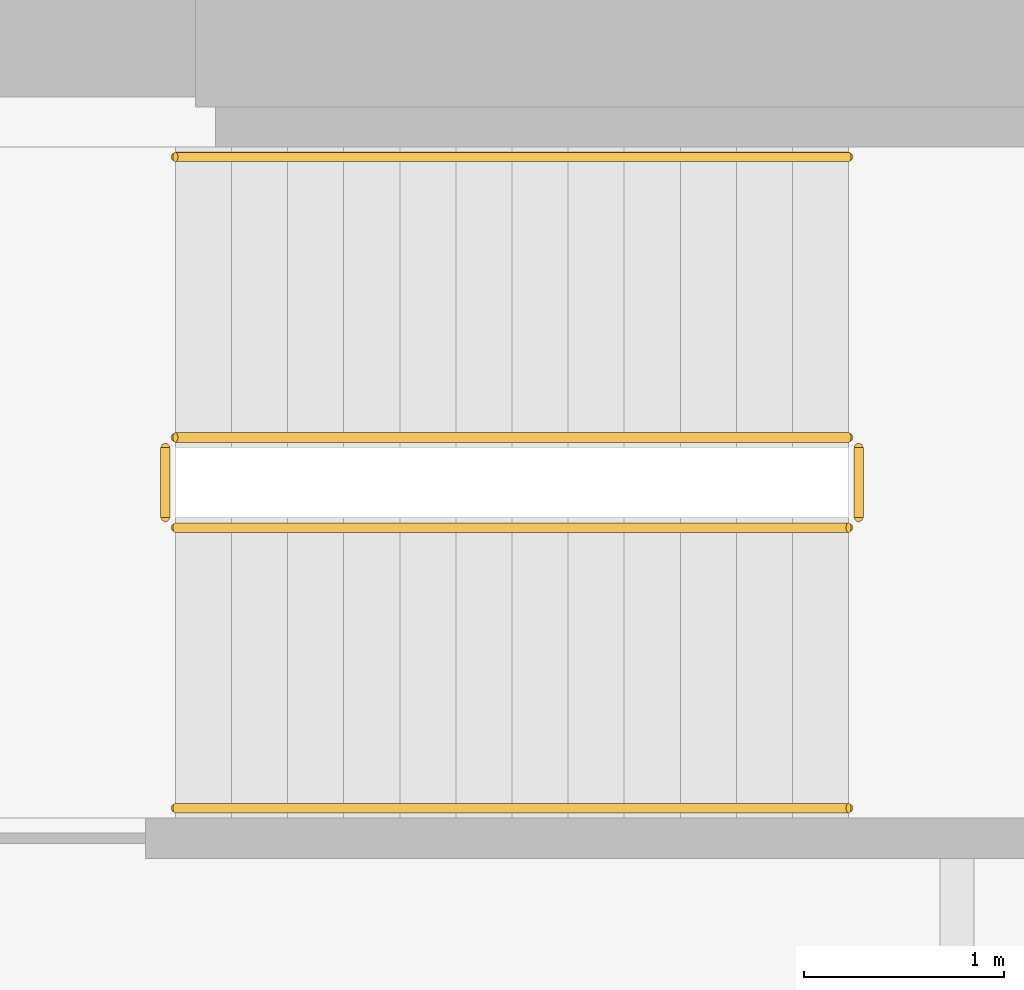
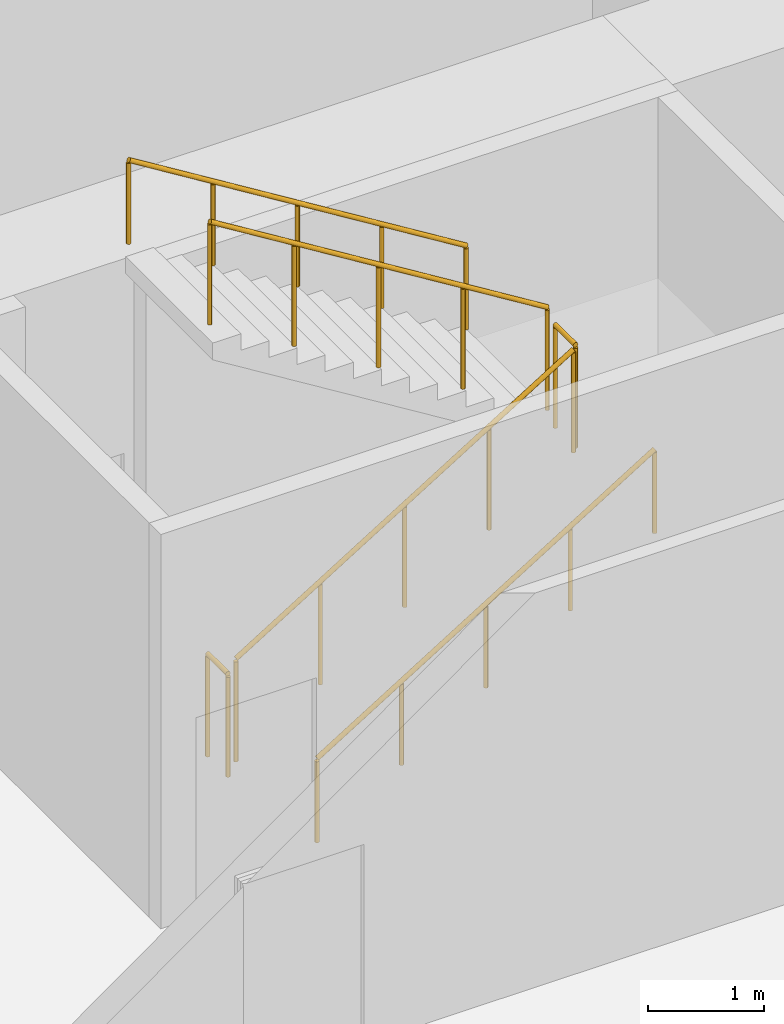
# One storey, part 9 of 11: 6 railings.
"""IFC4 building model written with IfcOpenShell, lengths in metres."""

from ifc_helpers import new_model, si_unit, direction, frame, origin, origin_2d, place, context, subcontext, project, spatial, circle, extrude, source, transform, mapped, material, type_object, element, save


model = new_model("IFC4")

# Units and contexts
model_context = context("Model", 3, precision=1e-05, world=origin(), true_north=direction((0.0, 1.0)))
body_context = subcontext(model_context, "Body", "Model", "MODEL_VIEW")
ifc_project = project(units=[si_unit("LENGTHUNIT", "METRE"), si_unit("AREAUNIT", "SQUARE_METRE"), si_unit("VOLUMEUNIT", "CUBIC_METRE"), si_unit("PLANEANGLEUNIT", "RADIAN"), si_unit("MASSUNIT", "GRAM", prefix="KILO")], contexts=[model_context])

# Site, building, storey
site_placement = place(None, origin())
site = spatial("IfcSite", under=ifc_project, at=site_placement, CompositionType="ELEMENT")
building_placement = place(site_placement, origin())
building = spatial("IfcBuilding", under=site, at=building_placement, Name="Khomas Fold Tower", CompositionType="ELEMENT")
storey_placement = place(building_placement, frame((0.0, 0.0, -4.5)))
storey = spatial("IfcBuildingStorey", under=building, at=storey_placement, Name="B1", CompositionType="ELEMENT", Elevation=-4.5)

# Railings
ifc_material_1 = material(Name="Steel balustrade", Category="steel")
railing_type_1 = type_object("IfcRailingType", Name="Stair guard", PredefinedType="GUARDRAIL", material=ifc_material_1)
shared_shape_1 = source(origin(), body_context, "Body", "SweptSolid", [
    extrude(circle(Radius=0.02392578125, at=origin_2d()), frame((0.0, 0.0, 1.076171875), z_axis=(0.850606129759, 0.0, 0.525803396734), x_axis=(0.0, 1.0, 0.0)), (0.0, 0.0, 1.0), 3.949951171875),
    extrude(circle(Radius=0.02099609375, at=origin_2d()), origin(), (0.0, 0.0, 1.0), 1.052001953125),
    extrude(circle(Radius=0.02099609375, at=origin_2d()), frame((0.83984375, 0.0, 0.519287109375)), (0.0, 0.0, 1.0), 1.052001953125),
    extrude(circle(Radius=0.02099609375, at=origin_2d()), frame((1.679931640625, 0.0, 1.03857421875)), (0.0, 0.0, 1.0), 1.052001953125),
    extrude(circle(Radius=0.02099609375, at=origin_2d()), frame((2.52001953125, 0.0, 1.5576171875)), (0.0, 0.0, 1.0), 1.052001953125),
    extrude(circle(Radius=0.02099609375, at=origin_2d()), frame((3.35986328125, 0.0, 2.076904296875)), (0.0, 0.0, 1.0), 1.052001953125),
])
railing_1_placement = place(storey_placement, frame((15.60009765625, 10.0, 0.173095703125)))
element("IfcRailing", 1, at=railing_1_placement, inside=storey, type_object=railing_type_1, Name="B1 ST2 stair guard 1", PredefinedType="GUARDRAIL", context=body_context, shape_type="MappedRepresentation", body=[
    mapped(shared_shape_1, transform((0.0, 0.0, 0.0))),
])
shared_shape_2 = source(origin(), body_context, "Body", "SweptSolid", [
    extrude(circle(Radius=0.02392578125, at=origin_2d()), frame((0.0, 0.0, 1.076171875), z_axis=(0.0, 1.0, 0.0), x_axis=(-1.0, 0.0, 0.0)), (0.0, 0.0, 1.0), 0.349853515625),
    extrude(circle(Radius=0.02099609375, at=origin_2d()), origin(), (0.0, 0.0, 1.0), 1.052001953125),
    extrude(circle(Radius=0.02099609375, at=origin_2d()), frame((0.0, 0.349853515625, 0.0)), (0.0, 0.0, 1.0), 1.052001953125),
])
for number, where, name in (
    (2, (19.010009765625, 10.050048828125, 2.25), "B1 ST2 stair guard 2"),
    (3, (15.550048828125, 10.050048828125, 0.0), "B1 ST2 stair guard 4"),
):
    element("IfcRailing", number, at=place(storey_placement, frame(where)), inside=storey, type_object=railing_type_1, Name=name, PredefinedType="GUARDRAIL", context=body_context, shape_type="MappedRepresentation", body=[
        mapped(shared_shape_2, transform((0.0, 0.0, 0.0))),
    ])
shared_shape_3 = source(origin(), body_context, "Body", "SweptSolid", [
    extrude(circle(Radius=0.02392578125, at=origin_2d()), frame((0.0, 0.0, 1.076171875), z_axis=(-0.850606129759, 0.0, 0.525803396734), x_axis=(0.0, -1.0, 0.0)), (0.0, 0.0, 1.0), 3.949951171875),
    extrude(circle(Radius=0.02099609375, at=origin_2d()), origin(), (0.0, 0.0, 1.0), 1.052001953125),
    extrude(circle(Radius=0.02099609375, at=origin_2d()), frame((-0.83984375, 0.0, 0.519287109375)), (0.0, 0.0, 1.0), 1.052001953125),
    extrude(circle(Radius=0.02099609375, at=origin_2d()), frame((-1.679931640625, 0.0, 1.03857421875)), (0.0, 0.0, 1.0), 1.052001953125),
    extrude(circle(Radius=0.02099609375, at=origin_2d()), frame((-2.52001953125, 0.0, 1.5576171875)), (0.0, 0.0, 1.0), 1.052001953125),
    extrude(circle(Radius=0.02099609375, at=origin_2d()), frame((-3.35986328125, 0.0, 2.076904296875)), (0.0, 0.0, 1.0), 1.052001953125),
])
railing_2_placement = place(storey_placement, frame((18.9599609375, 10.449951171875, 2.423095703125)))
element("IfcRailing", 4, at=railing_2_placement, inside=storey, type_object=railing_type_1, Name="B1 ST2 stair guard 3", PredefinedType="GUARDRAIL", context=body_context, shape_type="MappedRepresentation", body=[
    mapped(shared_shape_3, transform((0.0, 0.0, 0.0))),
])
ifc_material_2 = material(Name="Steel handrail", Category="steel")
railing_type_2 = type_object("IfcRailingType", Name="Stair handrail", PredefinedType="HANDRAIL", material=ifc_material_2)
shared_shape_4 = source(origin(), body_context, "Body", "SweptSolid", [
    extrude(circle(Radius=0.02392578125, at=origin_2d()), frame((0.0, 0.0, 0.8759765625), z_axis=(0.850606129759, 0.0, 0.525803396734), x_axis=(0.0, 1.0, 0.0)), (0.0, 0.0, 1.0), 3.949951171875),
    extrude(circle(Radius=0.02099609375, at=origin_2d()), origin(), (0.0, 0.0, 1.0), 0.851806640625),
    extrude(circle(Radius=0.02099609375, at=origin_2d()), frame((0.83984375, 0.0, 0.519287109375)), (0.0, 0.0, 1.0), 0.851806640625),
    extrude(circle(Radius=0.02099609375, at=origin_2d()), frame((1.679931640625, 0.0, 1.03857421875)), (0.0, 0.0, 1.0), 0.851806640625),
    extrude(circle(Radius=0.02099609375, at=origin_2d()), frame((2.52001953125, 0.0, 1.5576171875)), (0.0, 0.0, 1.0), 0.851806640625),
    extrude(circle(Radius=0.02099609375, at=origin_2d()), frame((3.35986328125, 0.0, 2.076904296875)), (0.0, 0.0, 1.0), 0.851806640625),
])
railing_3_placement = place(storey_placement, frame((15.60009765625, 8.60009765625, 0.173095703125)))
element("IfcRailing", 5, at=railing_3_placement, inside=storey, type_object=railing_type_2, Name="B1 ST2 stair handrail 1", PredefinedType="HANDRAIL", context=body_context, shape_type="MappedRepresentation", body=[
    mapped(shared_shape_4, transform((0.0, 0.0, 0.0))),
])
shared_shape_5 = source(origin(), body_context, "Body", "SweptSolid", [
    extrude(circle(Radius=0.02392578125, at=origin_2d()), frame((0.0, 0.0, 0.8759765625), z_axis=(-0.850606129759, 0.0, 0.525803396734), x_axis=(0.0, -1.0, 0.0)), (0.0, 0.0, 1.0), 3.949951171875),
    extrude(circle(Radius=0.02099609375, at=origin_2d()), origin(), (0.0, 0.0, 1.0), 0.851806640625),
    extrude(circle(Radius=0.02099609375, at=origin_2d()), frame((-0.83984375, 0.0, 0.519287109375)), (0.0, 0.0, 1.0), 0.851806640625),
    extrude(circle(Radius=0.02099609375, at=origin_2d()), frame((-1.679931640625, 0.0, 1.03857421875)), (0.0, 0.0, 1.0), 0.851806640625),
    extrude(circle(Radius=0.02099609375, at=origin_2d()), frame((-2.52001953125, 0.0, 1.5576171875)), (0.0, 0.0, 1.0), 0.851806640625),
    extrude(circle(Radius=0.02099609375, at=origin_2d()), frame((-3.35986328125, 0.0, 2.076904296875)), (0.0, 0.0, 1.0), 0.851806640625),
])
railing_4_placement = place(storey_placement, frame((18.9599609375, 11.85009765625, 2.423095703125)))
element("IfcRailing", 6, at=railing_4_placement, inside=storey, type_object=railing_type_2, Name="B1 ST2 stair handrail 2", PredefinedType="HANDRAIL", context=body_context, shape_type="MappedRepresentation", body=[
    mapped(shared_shape_5, transform((0.0, 0.0, 0.0))),
])

save(model, "model.ifc")
